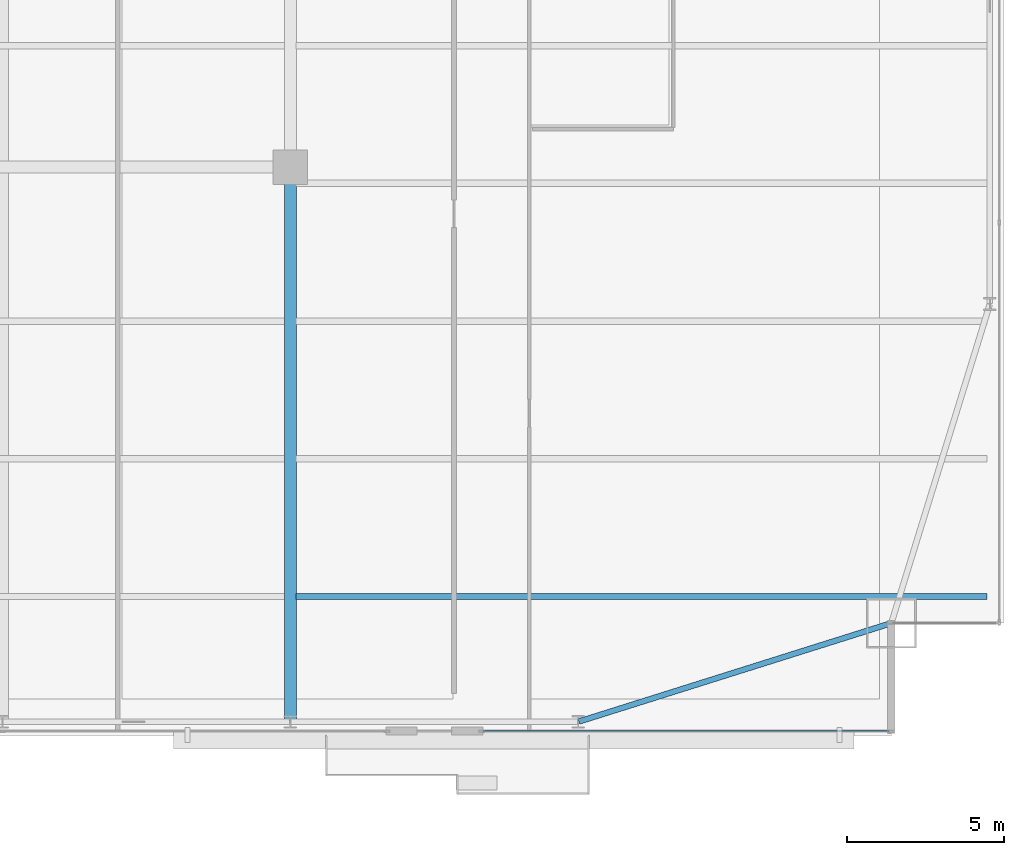
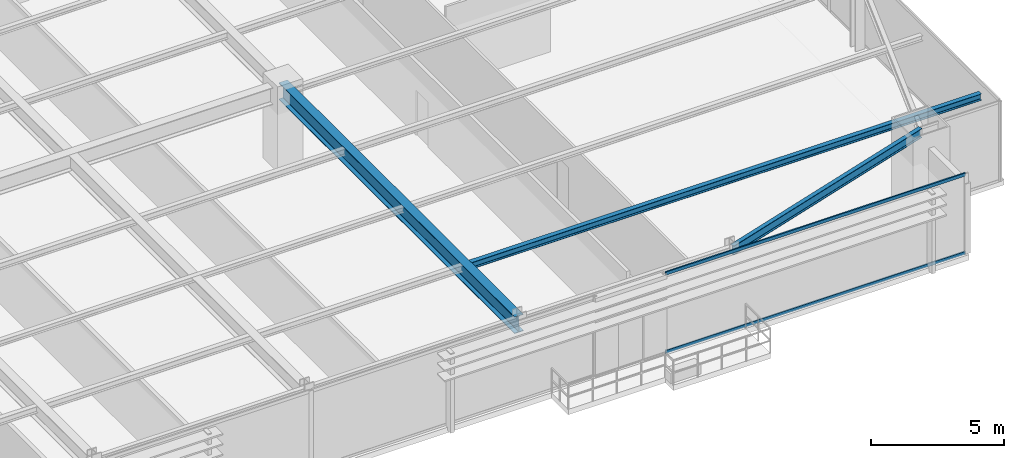
# One storey, part 13 of 31: 3 beams, 2 members, 1 element without a shape of its own.
"""IFC4 building model written with IfcOpenShell, lengths in metres."""

from ifc_helpers import new_model, si_unit, direction, frame, origin, origin_2d, place, context, subcontext, project, spatial, hollow_rectangle, i_section, extrude, source, transform, mapped, material, layer, layer_set, material_profile, profile_set, type_object, type_shapes, element, aggregate, save


model = new_model("IFC4")

# Units and contexts
model_context = context("Model", 3, precision=1e-05, world=origin(), true_north=direction((0.0, 1.0)))
body_context = subcontext(model_context, "Body", "Model", "MODEL_VIEW")
ifc_project = project(units=[si_unit("LENGTHUNIT", "METRE"), si_unit("AREAUNIT", "SQUARE_METRE"), si_unit("VOLUMEUNIT", "CUBIC_METRE"), si_unit("PLANEANGLEUNIT", "RADIAN"), si_unit("MASSUNIT", "GRAM", prefix="KILO")], contexts=[model_context])

# Site, building, storey
site_placement = place(None, origin())
site = spatial("IfcSite", under=ifc_project, at=site_placement, CompositionType="ELEMENT")
building_placement = place(site_placement, origin())
building = spatial("IfcBuilding", under=site, at=building_placement, Name="Varnel Quay Broadcast Tower", CompositionType="ELEMENT")
storey_placement = place(building_placement, frame((0.0, 0.0, 35.39990234375)))
storey = spatial("IfcBuildingStorey", under=building, at=storey_placement, Name="L07", CompositionType="ELEMENT", Elevation=35.39990234375)

# Beams
ifc_material_1 = material(Name="Structural Steel CSA G40.21 350W", Category="steel")
ifc_material_profile_1 = material_profile(ifc_material_1, i_section(OverallWidth=0.180908203125, OverallDepth=0.4169921875, WebThickness=0.010986328125, FlangeThickness=0.018310546875, FilletRadius=0.011962890625, at=origin_2d()), Name="W410X85")
ifc_profile_set_1 = profile_set([ifc_material_profile_1], Name="Structural Steel CSA G40.21 350W")
beam_type_1 = type_object("IfcBeamType", Name="Beam_W410X85", PredefinedType="SPANDREL", material=ifc_profile_set_1)
shared_shape_1 = source(origin(), body_context, "Body", "SweptSolid", [
    extrude(i_section(OverallWidth=0.180908203125, OverallDepth=0.4169921875, WebThickness=0.010986328125, FlangeThickness=0.018310546875, FilletRadius=0.011962890625, at=origin_2d()), origin(), (0.0, 0.0, 1.0), 10.444091796875),
])
type_shapes(beam_type_1, [shared_shape_1])
beam_1_placement = place(storey_placement, frame((52.419189453125, 1.656005859375, 3.441650390625), z_axis=(0.953798277271, 0.300447743003, 0.0), x_axis=(-0.300447743003, 0.953798277271, 0.0)))
element("IfcBeam", 1, at=beam_1_placement, inside=storey, type_object=beam_type_1, Name="L07 South Spandrel TC-S5-MC-SE", PredefinedType="SPANDREL", context=body_context, shape_type="MappedRepresentation", body=[
    mapped(shared_shape_1, transform((0.0, 0.0, 0.0), x_axis=(1.0, 0.0, 0.0), y_axis=(0.0, 1.0, 0.0), z_axis=(0.0, 0.0, 1.0), scale=1.0)),
])
ifc_material_profile_2 = material_profile(ifc_material_1, i_section(OverallWidth=0.381103515625, OverallDepth=0.77294921875, WebThickness=0.0166015625, FlangeThickness=0.027587890625, FilletRadius=0.01806640625, at=origin_2d()), Name="W760X257")
ifc_profile_set_2 = profile_set([ifc_material_profile_2], Name="Structural Steel CSA G40.21 350W")
beam_type_2 = type_object("IfcBeamType", Name="Girder_W760X257", PredefinedType="BEAM", material=ifc_profile_set_2)
shared_shape_2 = source(origin(), body_context, "Body", "SweptSolid", [
    extrude(i_section(OverallWidth=0.381103515625, OverallDepth=0.77294921875, WebThickness=0.0166015625, FlangeThickness=0.027587890625, FilletRadius=0.01806640625, at=origin_2d()), origin(), (0.0, 0.0, 1.0), 17.68017578125),
])
type_shapes(beam_type_2, [shared_shape_2])
beam_2_placement = place(storey_placement, frame((43.199951171875, 1.669921875, 3.263671875), z_axis=(0.0, 1.0, 0.0), x_axis=(-1.0, 0.0, 0.0)))
element("IfcBeam", 2, at=beam_2_placement, inside=storey, type_object=beam_type_2, Name="L07 Primary Girder TC-S4-IC-02", PredefinedType="BEAM", context=body_context, shape_type="MappedRepresentation", body=[
    mapped(shared_shape_2, transform((0.0, 0.0, 0.0), x_axis=(1.0, 0.0, 0.0), y_axis=(0.0, 1.0, 0.0), z_axis=(0.0, 0.0, 1.0), scale=1.0)),
])
ifc_material_profile_3 = material_profile(ifc_material_1, i_section(OverallWidth=0.202880859375, OverallDepth=0.302978515625, WebThickness=0.007568359375, FlangeThickness=0.01318359375, FilletRadius=0.011962890625, at=origin_2d()), Name="W310X60")
ifc_profile_set_3 = profile_set([ifc_material_profile_3], Name="Structural Steel CSA G40.21 350W")
beam_type_3 = type_object("IfcBeamType", Name="Beam_W310X60", PredefinedType="JOIST", material=ifc_profile_set_3)
shared_shape_3 = source(origin(), body_context, "Body", "SweptSolid", [
    extrude(i_section(OverallWidth=0.202880859375, OverallDepth=0.302978515625, WebThickness=0.007568359375, FlangeThickness=0.01318359375, FilletRadius=0.011962890625, at=origin_2d()), origin(), (0.0, 0.0, 1.0), 22.0791015625),
])
type_shapes(beam_type_3, [shared_shape_3])
beam_3_placement = place(storey_placement, frame((43.385498046875, 5.64990234375, 3.49853515625), z_axis=(1.0, 0.0, 0.0), x_axis=(0.0, 1.0, 0.0)))
element("IfcBeam", 3, at=beam_3_placement, inside=storey, type_object=beam_type_3, Name="L07 East Floor Joist 1", PredefinedType="JOIST", context=body_context, shape_type="MappedRepresentation", body=[
    mapped(shared_shape_3, transform((0.0, 0.0, 0.0), x_axis=(1.0, 0.0, 0.0), y_axis=(0.0, 1.0, 0.0), z_axis=(0.0, 0.0, 1.0), scale=1.0)),
])

# Curtain wall, members
ifc_material_2 = material(Name="Anodised Bronze Aluminium 6063-T6", Category="aluminium")
ifc_layer = layer(ifc_material_2, 0.18994140625, Name="Anodised Bronze Aluminium 6063-T6")
ifc_layer_set = layer_set([ifc_layer], Name="Anodised Bronze Aluminium 6063-T6")
curtain_wall_type = type_object("IfcCurtainWallType", Name="CW_LowerTower", PredefinedType="NOTDEFINED", material=ifc_layer_set)
curtain_wall_placement = place(storey_placement, origin())
curtain_wall = element("IfcCurtainWall", 4, at=curtain_wall_placement, inside=storey, type_object=curtain_wall_type, Name="L07 South Unitised Curtain Wall 3", PredefinedType="NOTDEFINED")
ifc_material_profile_4 = material_profile(ifc_material_2, hollow_rectangle(XDim=0.06005859375, YDim=0.14501953125, WallThickness=0.00341796875, at=origin_2d()), Name="ALU60X145X3.5")
ifc_profile_set_4 = profile_set([ifc_material_profile_4], Name="Anodised Bronze Aluminium 6063-T6")
member_type = type_object("IfcMemberType", Name="Tran_CWS-02", PredefinedType="USERDEFINED", material=ifc_profile_set_4)
shared_shape_4 = source(origin(), body_context, "Body", "SweptSolid", [
    extrude(hollow_rectangle(XDim=0.06005859375, YDim=0.14501953125, WallThickness=0.00341796875, at=origin_2d()), origin(), (0.0, 0.0, 1.0), 12.97998046875),
])
type_shapes(member_type, [shared_shape_4])
member_1_placement = place(storey_placement, frame((49.35009765625, 1.35009765625, 0.030029296875), z_axis=(1.0, 0.0, 0.0), x_axis=(0.0, 1.0, 0.0)))
member_1 = element("IfcMember", 5, at=member_1_placement, type_object=member_type, Name="CWS-02 transom 1.1", ObjectType="TRANSOM", PredefinedType="USERDEFINED", context=body_context, shape_type="MappedRepresentation", body=[
    mapped(shared_shape_4, transform((0.0, 0.0, 0.0), x_axis=(1.0, 0.0, 0.0), y_axis=(0.0, 1.0, 0.0), z_axis=(0.0, 0.0, 1.0), scale=1.0)),
])
member_2_placement = place(storey_placement, frame((49.35009765625, 1.35009765625, 3.6201171875), z_axis=(1.0, 0.0, 0.0), x_axis=(0.0, 1.0, 0.0)))
member_2 = element("IfcMember", 6, at=member_2_placement, type_object=member_type, Name="CWS-02 transom 1.2", ObjectType="TRANSOM", PredefinedType="USERDEFINED", context=body_context, shape_type="MappedRepresentation", body=[
    mapped(shared_shape_4, transform((0.0, 0.0, 0.0), x_axis=(1.0, 0.0, 0.0), y_axis=(0.0, 1.0, 0.0), z_axis=(0.0, 0.0, 1.0), scale=1.0)),
])
aggregate(curtain_wall, [member_1, member_2])

save(model, "model.ifc")
